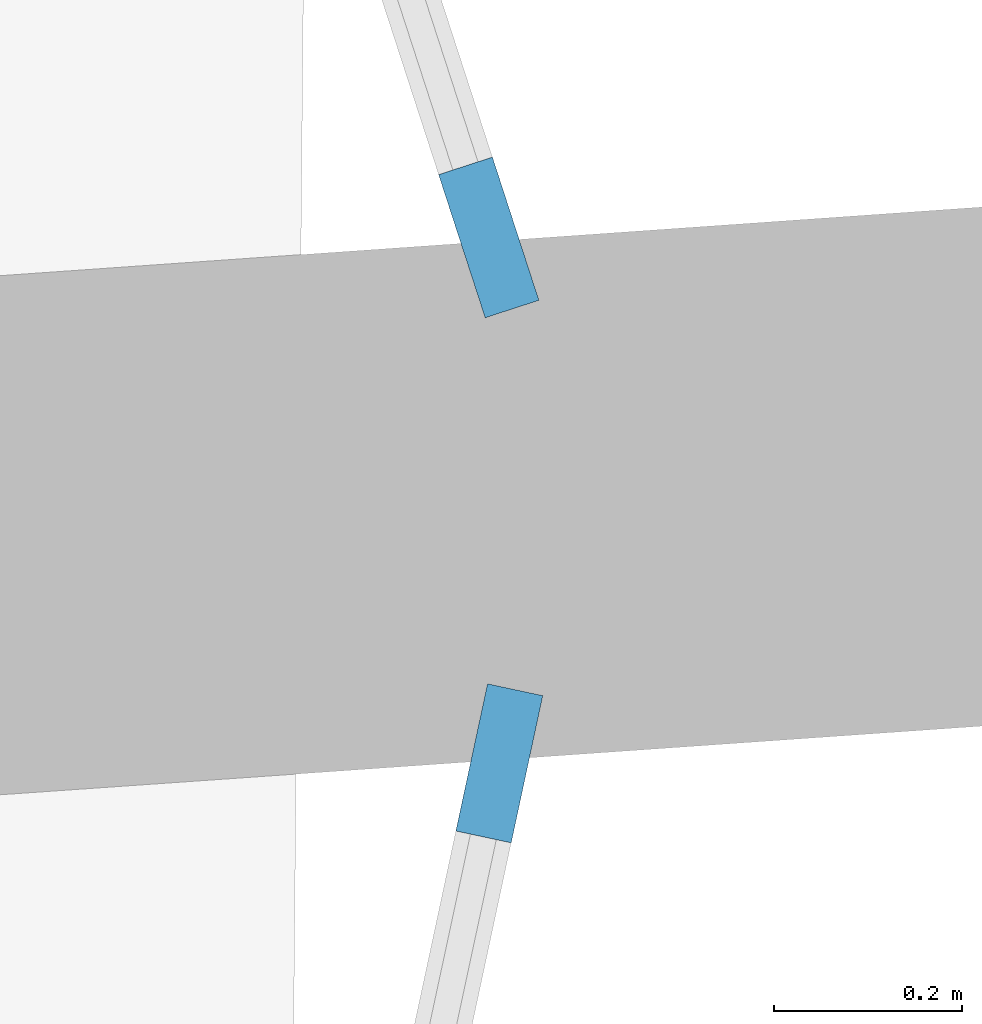
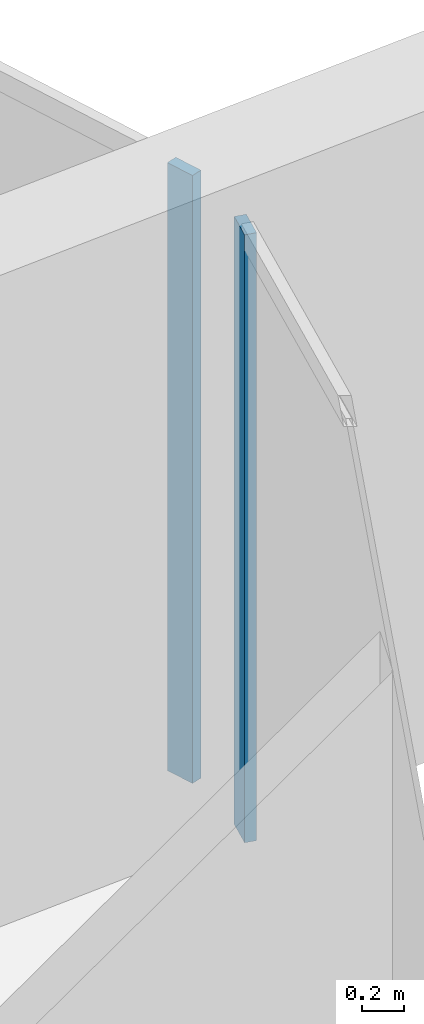
# One storey, part 17 of 32: 2 members, 2 elements without a shape of their own.
"""IFC4 building model written with IfcOpenShell, lengths in metres."""

from ifc_helpers import new_model, si_unit, direction, frame, origin, origin_2d, place, context, subcontext, project, spatial, rectangle, extrude, material, layer, layer_set, material_profile, profile_set, type_object, element, aggregate, save


model = new_model("IFC4")

# Units and contexts
model_context = context("Model", 3, precision=1e-05, world=origin(), true_north=direction((0.0, 1.0)))
body_context = subcontext(model_context, "Body", "Model", "MODEL_VIEW")
ifc_project = project(units=[si_unit("LENGTHUNIT", "METRE"), si_unit("AREAUNIT", "SQUARE_METRE"), si_unit("VOLUMEUNIT", "CUBIC_METRE"), si_unit("PLANEANGLEUNIT", "RADIAN"), si_unit("MASSUNIT", "GRAM", prefix="KILO")], contexts=[model_context])

# Site, building, storey
site_placement = place(None, origin())
site = spatial("IfcSite", under=ifc_project, at=site_placement, CompositionType="ELEMENT")
building_placement = place(site_placement, origin())
building = spatial("IfcBuilding", under=site, at=building_placement, Name="Kazma Halo Residences", CompositionType="ELEMENT")
storey_placement = place(building_placement, frame((0.0, 0.0, 63.89990234375)))
storey = spatial("IfcBuildingStorey", under=building, at=storey_placement, Name="L15", CompositionType="ELEMENT", Elevation=63.89990234375)

# Curtain wall, member
ifc_material_1 = material(Name="Aluminium AW-6063 T6 and Triple-Silver Low-E Glass", Category="aluminium")
ifc_layer = layer(ifc_material_1, 0.159912109375)
ifc_layer_set = layer_set([ifc_layer], Name="Aluminium AW-6063 T6 and Triple-Silver Low-E Glass")
curtain_wall_type = type_object("IfcCurtainWallType", Name="CW-SYS-2", PredefinedType="NOTDEFINED", material=ifc_layer_set)
curtain_wall_1_placement = place(storey_placement, origin())
curtain_wall_1 = element("IfcCurtainWall", 1, at=curtain_wall_1_placement, inside=storey, type_object=curtain_wall_type, Name="L15 unitised curtain wall B15", PredefinedType="NOTDEFINED")
ifc_material_2 = material(Name="Aluminium AW-6063 T6", Category="aluminium")
ifc_material_profile = material_profile(ifc_material_2, rectangle(XDim=0.06005859375, YDim=0.159912109375, at=origin_2d()), Name="CWM-60x160")
ifc_profile_set = profile_set([ifc_material_profile], Name="Aluminium AW-6063 T6")
member_type = type_object("IfcMemberType", Name="CW-SYS-2-MUL", PredefinedType="MULLION", material=ifc_profile_set)
member_1_placement = place(storey_placement, frame((79.74951171875, 43.940673828125, 0.0), z_axis=(0.0, 0.0, 1.0), x_axis=(-0.977779215096, 0.209637321406, 0.0)))
member_1 = element("IfcMember", 2, at=member_1_placement, type_object=member_type, Name="CWS-2 mullion 4", PredefinedType="MULLION", context=body_context, shape_type="SweptSolid", body=[
    extrude(rectangle(XDim=0.06005859375, YDim=0.159912109375, at=origin_2d()), origin(), (0.0, 0.0, 1.0), 3.5),
])
aggregate(curtain_wall_1, [member_1])

curtain_wall_2_placement = place(storey_placement, origin())
curtain_wall_2 = element("IfcCurtainWall", 3, at=curtain_wall_2_placement, inside=storey, type_object=curtain_wall_type, Name="L15 unitised curtain wall B16", PredefinedType="NOTDEFINED")
member_2_placement = place(storey_placement, frame((79.73828125, 44.499267578125, 0.0), z_axis=(0.0, 0.0, 1.0), x_axis=(-0.95105652404, -0.309016970539, 0.0)))
member_2 = element("IfcMember", 4, at=member_2_placement, type_object=member_type, Name="CWS-2 mullion 1", PredefinedType="MULLION", context=body_context, shape_type="SweptSolid", body=[
    extrude(rectangle(XDim=0.06005859375, YDim=0.159912109375, at=origin_2d()), origin(), (0.0, 0.0, 1.0), 3.5),
])
aggregate(curtain_wall_2, [member_2])

save(model, "model.ifc")
